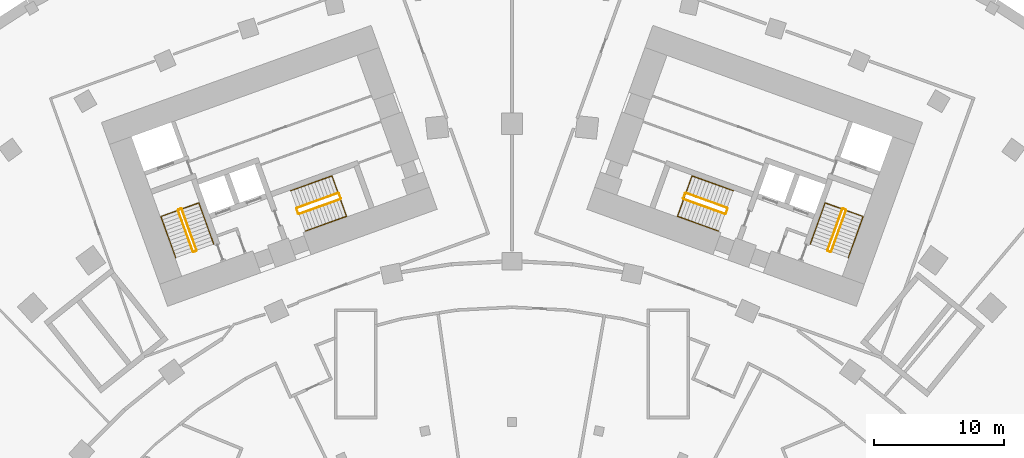
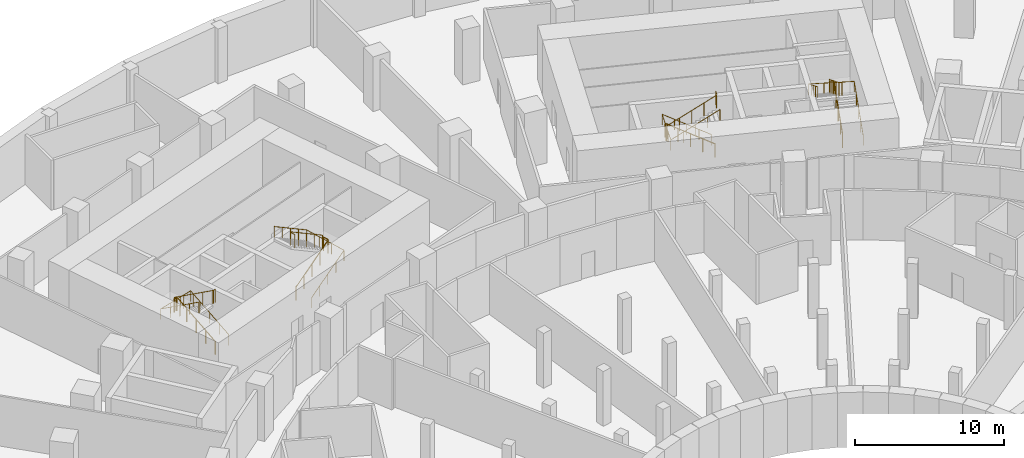
# One storey, part 21 of 21: 12 railings.
"""IFC4 building model written with IfcOpenShell, lengths in metres."""

from ifc_helpers import new_model, si_unit, direction, frame, origin, origin_2d, place, context, subcontext, project, spatial, circle, extrude, material, type_object, element, save


model = new_model("IFC4")

# Units and contexts
model_context = context("Model", 3, precision=1e-05, world=origin(), true_north=direction((0.0, 1.0)))
body_context = subcontext(model_context, "Body", "Model", "MODEL_VIEW")
ifc_project = project(units=[si_unit("LENGTHUNIT", "METRE"), si_unit("AREAUNIT", "SQUARE_METRE"), si_unit("VOLUMEUNIT", "CUBIC_METRE"), si_unit("PLANEANGLEUNIT", "RADIAN"), si_unit("MASSUNIT", "GRAM", prefix="KILO")], contexts=[model_context])

# Site, building, storey
site_placement = place(None, origin())
site = spatial("IfcSite", under=ifc_project, at=site_placement, CompositionType="ELEMENT")
building_placement = place(site_placement, origin())
building = spatial("IfcBuilding", under=site, at=building_placement, Name="Stone Belt Terrace Tower", CompositionType="ELEMENT")
storey_placement = place(building_placement, frame((0.0, 0.0, -9.0)))
storey = spatial("IfcBuildingStorey", under=building, at=storey_placement, Name="B2", CompositionType="ELEMENT", Elevation=-9.0)

# Railings
ifc_material = material(Name="Structural steel C345", Category="steel")
railing_type_1 = type_object("IfcRailingType", Name="Stair guard 1100", PredefinedType="GUARDRAIL", material=ifc_material)
railing_1_placement = place(storey_placement, frame((-24.2119140625, 45.276123046875, 0.173095703125)))
element("IfcRailing", 1, at=railing_1_placement, inside=storey, type_object=railing_type_1, Name="B2 ST1A stair guard 1", PredefinedType="GUARDRAIL", context=body_context, shape_type="SweptSolid", body=[
    extrude(circle(Radius=0.02392578125, at=origin_2d()), frame((0.0, 0.0, 1.076171875), z_axis=(-0.288083704321, 0.800342391602, 0.525794480296), x_axis=(-0.940902231577, -0.338678299589, 0.0)), (0.0, 0.0, 1.0), 3.949951171875),
    extrude(circle(Radius=0.02392578125, at=origin_2d()), frame((-1.137939453125, 3.161376953125, 3.15283203125), z_axis=(-0.903878284585, 0.427789722475, 0.0), x_axis=(-0.427789722475, -0.903878284585, 0.0)), (0.0, 0.0, 1.0), 0.07080078125),
    extrude(circle(Radius=0.02392578125, at=origin_2d()), frame((-1.201904296875, 3.191650390625, 3.15283203125), z_axis=(-0.940575576748, -0.339584429008, 0.0), x_axis=(0.339584429008, -0.940575576748, 0.0)), (0.0, 0.0, 1.0), 0.199951171875),
    extrude(circle(Radius=0.02099609375, at=origin_2d()), origin(), (0.0, 0.0, 1.0), 1.052001953125),
    extrude(circle(Radius=0.02099609375, at=origin_2d()), frame((-0.284423828125, 0.790283203125, 0.519287109375)), (0.0, 0.0, 1.0), 1.052001953125),
    extrude(circle(Radius=0.02099609375, at=origin_2d()), frame((-0.56884765625, 1.58056640625, 1.03857421875)), (0.0, 0.0, 1.0), 1.052001953125),
    extrude(circle(Radius=0.02099609375, at=origin_2d()), frame((-0.853515625, 2.37109375, 1.5576171875)), (0.0, 0.0, 1.0), 1.052001953125),
    extrude(circle(Radius=0.02099609375, at=origin_2d()), frame((-1.137939453125, 3.161376953125, 2.076904296875)), (0.0, 0.0, 1.0), 1.052001953125),
    extrude(circle(Radius=0.02099609375, at=origin_2d()), frame((-1.201904296875, 3.191650390625, 2.076904296875)), (0.0, 0.0, 1.0), 1.052001953125),
    extrude(circle(Radius=0.02099609375, at=origin_2d()), frame((-1.389892578125, 3.123779296875, 2.076904296875)), (0.0, 0.0, 1.0), 1.052001953125),
])
railing_2_placement = place(storey_placement, frame((-25.632080078125, 48.3359375, 2.423095703125)))
element("IfcRailing", 2, at=railing_2_placement, inside=storey, type_object=railing_type_1, Name="B2 ST1A stair guard 2", PredefinedType="GUARDRAIL", context=body_context, shape_type="SweptSolid", body=[
    extrude(circle(Radius=0.02392578125, at=origin_2d()), frame((0.0, 0.0, 1.076171875), z_axis=(0.288083704321, -0.800342391602, 0.525794480296), x_axis=(0.940902231577, 0.338678299589, 0.0)), (0.0, 0.0, 1.0), 3.949951171875),
    extrude(circle(Radius=0.02392578125, at=origin_2d()), frame((1.137939453125, -3.161376953125, 3.15283203125), z_axis=(0.903878284585, -0.427789722475, 0.0), x_axis=(0.427789722475, 0.903878284585, 0.0)), (0.0, 0.0, 1.0), 0.07080078125),
    extrude(circle(Radius=0.02392578125, at=origin_2d()), frame((1.201904296875, -3.191650390625, 3.15283203125), z_axis=(0.940575576748, 0.339584429008, 0.0), x_axis=(-0.339584429008, 0.940575576748, 0.0)), (0.0, 0.0, 1.0), 0.199951171875),
    extrude(circle(Radius=0.02099609375, at=origin_2d()), origin(), (0.0, 0.0, 1.0), 1.052001953125),
    extrude(circle(Radius=0.02099609375, at=origin_2d()), frame((0.284423828125, -0.790283203125, 0.519287109375)), (0.0, 0.0, 1.0), 1.052001953125),
    extrude(circle(Radius=0.02099609375, at=origin_2d()), frame((0.56884765625, -1.58056640625, 1.03857421875)), (0.0, 0.0, 1.0), 1.052001953125),
    extrude(circle(Radius=0.02099609375, at=origin_2d()), frame((0.853515625, -2.37109375, 1.5576171875)), (0.0, 0.0, 1.0), 1.052001953125),
    extrude(circle(Radius=0.02099609375, at=origin_2d()), frame((1.137939453125, -3.161376953125, 2.076904296875)), (0.0, 0.0, 1.0), 1.052001953125),
    extrude(circle(Radius=0.02099609375, at=origin_2d()), frame((1.201904296875, -3.191650390625, 2.076904296875)), (0.0, 0.0, 1.0), 1.052001953125),
    extrude(circle(Radius=0.02099609375, at=origin_2d()), frame((1.389892578125, -3.123779296875, 2.076904296875)), (0.0, 0.0, 1.0), 1.052001953125),
])
railing_3_placement = place(storey_placement, frame((-16.33837890625, 48.056640625, 0.173095703125)))
element("IfcRailing", 3, at=railing_3_placement, inside=storey, type_object=railing_type_1, Name="B2 ST2A stair guard 1", PredefinedType="GUARDRAIL", context=body_context, shape_type="SweptSolid", body=[
    extrude(circle(Radius=0.02392578125, at=origin_2d()), frame((0.0, 0.0, 1.076171875), z_axis=(0.800378855174, 0.288012777229, 0.525777831735), x_axis=(-0.338590819614, 0.940933715451, 0.0)), (0.0, 0.0, 1.0), 3.9501953125),
    extrude(circle(Radius=0.02392578125, at=origin_2d()), frame((3.16162109375, 1.1376953125, 3.15283203125), z_axis=(0.424964916, 0.905209821074, 0.0), x_axis=(-0.905209821074, 0.424964916, 0.0)), (0.0, 0.0, 1.0), 0.070556640625),
    extrude(circle(Radius=0.02392578125, at=origin_2d()), frame((3.191650390625, 1.20166015625, 3.15283203125), z_axis=(-0.338654645739, 0.940910745459, 0.0), x_axis=(-0.940910745459, -0.338654645739, 0.0)), (0.0, 0.0, 1.0), 0.400146484375),
    extrude(circle(Radius=0.02099609375, at=origin_2d()), origin(), (0.0, 0.0, 1.0), 1.052001953125),
    extrude(circle(Radius=0.02099609375, at=origin_2d()), frame((0.79052734375, 0.284423828125, 0.519287109375)), (0.0, 0.0, 1.0), 1.052001953125),
    extrude(circle(Radius=0.02099609375, at=origin_2d()), frame((1.580810546875, 0.56884765625, 1.03857421875)), (0.0, 0.0, 1.0), 1.052001953125),
    extrude(circle(Radius=0.02099609375, at=origin_2d()), frame((2.37109375, 0.853271484375, 1.5576171875)), (0.0, 0.0, 1.0), 1.052001953125),
    extrude(circle(Radius=0.02099609375, at=origin_2d()), frame((3.16162109375, 1.1376953125, 2.076904296875)), (0.0, 0.0, 1.0), 1.052001953125),
    extrude(circle(Radius=0.02099609375, at=origin_2d()), frame((3.191650390625, 1.20166015625, 2.076904296875)), (0.0, 0.0, 1.0), 1.052001953125),
    extrude(circle(Radius=0.02099609375, at=origin_2d()), frame((3.05615234375, 1.578125, 2.076904296875)), (0.0, 0.0, 1.0), 1.052001953125),
])
railing_4_placement = place(storey_placement, frame((-13.34619140625, 49.664794921875, 2.423095703125)))
element("IfcRailing", 4, at=railing_4_placement, inside=storey, type_object=railing_type_1, Name="B2 ST2A stair guard 2", PredefinedType="GUARDRAIL", context=body_context, shape_type="SweptSolid", body=[
    extrude(circle(Radius=0.02392578125, at=origin_2d()), frame((0.0, 0.0, 1.076171875), z_axis=(-0.800356641085, -0.288027025056, 0.525803841664), x_axis=(0.338613969627, -0.9409253847, 0.0)), (0.0, 0.0, 1.0), 3.949951171875),
    extrude(circle(Radius=0.02392578125, at=origin_2d()), frame((-3.161376953125, -1.1376953125, 3.15283203125), z_axis=(-0.427789722475, -0.903878284585, 0.0), x_axis=(0.903878284585, -0.427789722475, 0.0)), (0.0, 0.0, 1.0), 0.07080078125),
    extrude(circle(Radius=0.02392578125, at=origin_2d()), frame((-3.191650390625, -1.20166015625, 3.15283203125), z_axis=(0.338654645739, -0.940910745459, 0.0), x_axis=(0.940910745459, 0.338654645739, 0.0)), (0.0, 0.0, 1.0), 0.400146484375),
    extrude(circle(Radius=0.02099609375, at=origin_2d()), origin(), (0.0, 0.0, 1.0), 1.052001953125),
    extrude(circle(Radius=0.02099609375, at=origin_2d()), frame((-0.790283203125, -0.284423828125, 0.519287109375)), (0.0, 0.0, 1.0), 1.052001953125),
    extrude(circle(Radius=0.02099609375, at=origin_2d()), frame((-1.58056640625, -0.56884765625, 1.03857421875)), (0.0, 0.0, 1.0), 1.052001953125),
    extrude(circle(Radius=0.02099609375, at=origin_2d()), frame((-2.37109375, -0.853271484375, 1.5576171875)), (0.0, 0.0, 1.0), 1.052001953125),
    extrude(circle(Radius=0.02099609375, at=origin_2d()), frame((-3.161376953125, -1.1376953125, 2.076904296875)), (0.0, 0.0, 1.0), 1.052001953125),
    extrude(circle(Radius=0.02099609375, at=origin_2d()), frame((-3.191650390625, -1.20166015625, 2.076904296875)), (0.0, 0.0, 1.0), 1.052001953125),
    extrude(circle(Radius=0.02099609375, at=origin_2d()), frame((-3.05615234375, -1.578125, 2.076904296875)), (0.0, 0.0, 1.0), 1.052001953125),
])
railing_5_placement = place(storey_placement, frame((24.494140625, 45.174560546875, 0.173095703125)))
element("IfcRailing", 5, at=railing_5_placement, inside=storey, type_object=railing_type_1, Name="B2 ST1B stair guard 1", PredefinedType="GUARDRAIL", context=body_context, shape_type="SweptSolid", body=[
    extrude(circle(Radius=0.02392578125, at=origin_2d()), frame((0.0, 0.0, 1.076171875), z_axis=(0.288083704321, 0.800342391602, 0.525794480296), x_axis=(-0.940902231577, 0.338678299589, 0.0)), (0.0, 0.0, 1.0), 3.949951171875),
    extrude(circle(Radius=0.02392578125, at=origin_2d()), frame((1.137939453125, 3.161376953125, 3.15283203125), z_axis=(-0.427789722475, 0.903878284585, 0.0), x_axis=(-0.903878284585, -0.427789722475, 0.0)), (0.0, 0.0, 1.0), 0.07080078125),
    extrude(circle(Radius=0.02392578125, at=origin_2d()), frame((1.107666015625, 3.225341796875, 3.15283203125), z_axis=(-0.940575576748, 0.339584429008, 0.0), x_axis=(-0.339584429008, -0.940575576748, 0.0)), (0.0, 0.0, 1.0), 0.199951171875),
    extrude(circle(Radius=0.02099609375, at=origin_2d()), origin(), (0.0, 0.0, 1.0), 1.052001953125),
    extrude(circle(Radius=0.02099609375, at=origin_2d()), frame((0.284423828125, 0.790283203125, 0.519287109375)), (0.0, 0.0, 1.0), 1.052001953125),
    extrude(circle(Radius=0.02099609375, at=origin_2d()), frame((0.56884765625, 1.58056640625, 1.03857421875)), (0.0, 0.0, 1.0), 1.052001953125),
    extrude(circle(Radius=0.02099609375, at=origin_2d()), frame((0.853515625, 2.37109375, 1.5576171875)), (0.0, 0.0, 1.0), 1.052001953125),
    extrude(circle(Radius=0.02099609375, at=origin_2d()), frame((1.137939453125, 3.161376953125, 2.076904296875)), (0.0, 0.0, 1.0), 1.052001953125),
    extrude(circle(Radius=0.02099609375, at=origin_2d()), frame((1.107666015625, 3.225341796875, 2.076904296875)), (0.0, 0.0, 1.0), 1.052001953125),
    extrude(circle(Radius=0.02099609375, at=origin_2d()), frame((0.919677734375, 3.293212890625, 2.076904296875)), (0.0, 0.0, 1.0), 1.052001953125),
])
railing_6_placement = place(storey_placement, frame((25.349853515625, 48.4375, 2.423095703125)))
element("IfcRailing", 6, at=railing_6_placement, inside=storey, type_object=railing_type_1, Name="B2 ST1B stair guard 2", PredefinedType="GUARDRAIL", context=body_context, shape_type="SweptSolid", body=[
    extrude(circle(Radius=0.02392578125, at=origin_2d()), frame((0.0, 0.0, 1.076171875), z_axis=(-0.288083704321, -0.800342391602, 0.525794480296), x_axis=(0.940902231577, -0.338678299589, 0.0)), (0.0, 0.0, 1.0), 3.949951171875),
    extrude(circle(Radius=0.02392578125, at=origin_2d()), frame((-1.137939453125, -3.161376953125, 3.15283203125), z_axis=(0.427789722475, -0.903878284585, 0.0), x_axis=(0.903878284585, 0.427789722475, 0.0)), (0.0, 0.0, 1.0), 0.07080078125),
    extrude(circle(Radius=0.02392578125, at=origin_2d()), frame((-1.107666015625, -3.225341796875, 3.15283203125), z_axis=(0.940575576748, -0.339584429008, 0.0), x_axis=(0.339584429008, 0.940575576748, 0.0)), (0.0, 0.0, 1.0), 0.199951171875),
    extrude(circle(Radius=0.02099609375, at=origin_2d()), origin(), (0.0, 0.0, 1.0), 1.052001953125),
    extrude(circle(Radius=0.02099609375, at=origin_2d()), frame((-0.284423828125, -0.790283203125, 0.519287109375)), (0.0, 0.0, 1.0), 1.052001953125),
    extrude(circle(Radius=0.02099609375, at=origin_2d()), frame((-0.56884765625, -1.58056640625, 1.03857421875)), (0.0, 0.0, 1.0), 1.052001953125),
    extrude(circle(Radius=0.02099609375, at=origin_2d()), frame((-0.853515625, -2.37109375, 1.5576171875)), (0.0, 0.0, 1.0), 1.052001953125),
    extrude(circle(Radius=0.02099609375, at=origin_2d()), frame((-1.137939453125, -3.161376953125, 2.076904296875)), (0.0, 0.0, 1.0), 1.052001953125),
    extrude(circle(Radius=0.02099609375, at=origin_2d()), frame((-1.107666015625, -3.225341796875, 2.076904296875)), (0.0, 0.0, 1.0), 1.052001953125),
    extrude(circle(Radius=0.02099609375, at=origin_2d()), frame((-0.919677734375, -3.293212890625, 2.076904296875)), (0.0, 0.0, 1.0), 1.052001953125),
])
railing_7_placement = place(storey_placement, frame((16.507568359375, 48.527099609375, 0.173095703125)))
element("IfcRailing", 7, at=railing_7_placement, inside=storey, type_object=railing_type_1, Name="B2 ST2B stair guard 1", PredefinedType="GUARDRAIL", context=body_context, shape_type="SweptSolid", body=[
    extrude(circle(Radius=0.02392578125, at=origin_2d()), frame((0.0, 0.0, 1.076171875), z_axis=(-0.800356641085, 0.288027025056, 0.525803841664), x_axis=(-0.338613969627, -0.9409253847, 0.0)), (0.0, 0.0, 1.0), 3.949951171875),
    extrude(circle(Radius=0.02392578125, at=origin_2d()), frame((-3.161376953125, 1.1376953125, 3.15283203125), z_axis=(-0.905209821074, -0.424964916, 0.0), x_axis=(0.424964916, -0.905209821074, 0.0)), (0.0, 0.0, 1.0), 0.070556640625),
    extrude(circle(Radius=0.02392578125, at=origin_2d()), frame((-3.225341796875, 1.107666015625, 3.15283203125), z_axis=(-0.338654645739, -0.940910745459, 0.0), x_axis=(0.940910745459, -0.338654645739, 0.0)), (0.0, 0.0, 1.0), 0.400146484375),
    extrude(circle(Radius=0.02099609375, at=origin_2d()), origin(), (0.0, 0.0, 1.0), 1.052001953125),
    extrude(circle(Radius=0.02099609375, at=origin_2d()), frame((-0.790283203125, 0.284423828125, 0.519287109375)), (0.0, 0.0, 1.0), 1.052001953125),
    extrude(circle(Radius=0.02099609375, at=origin_2d()), frame((-1.58056640625, 0.56884765625, 1.03857421875)), (0.0, 0.0, 1.0), 1.052001953125),
    extrude(circle(Radius=0.02099609375, at=origin_2d()), frame((-2.37109375, 0.853271484375, 1.5576171875)), (0.0, 0.0, 1.0), 1.052001953125),
    extrude(circle(Radius=0.02099609375, at=origin_2d()), frame((-3.161376953125, 1.1376953125, 2.076904296875)), (0.0, 0.0, 1.0), 1.052001953125),
    extrude(circle(Radius=0.02099609375, at=origin_2d()), frame((-3.225341796875, 1.107666015625, 2.076904296875)), (0.0, 0.0, 1.0), 1.052001953125),
    extrude(circle(Radius=0.02099609375, at=origin_2d()), frame((-3.36083984375, 0.731201171875, 2.076904296875)), (0.0, 0.0, 1.0), 1.052001953125),
])
railing_8_placement = place(storey_placement, frame((13.1767578125, 49.1943359375, 2.423095703125)))
element("IfcRailing", 8, at=railing_8_placement, inside=storey, type_object=railing_type_1, Name="B2 ST2B stair guard 2", PredefinedType="GUARDRAIL", context=body_context, shape_type="SweptSolid", body=[
    extrude(circle(Radius=0.02392578125, at=origin_2d()), frame((0.0, 0.0, 1.076171875), z_axis=(0.800378855174, -0.288012777229, 0.525777831735), x_axis=(0.338590819614, 0.940933715451, 0.0)), (0.0, 0.0, 1.0), 3.9501953125),
    extrude(circle(Radius=0.02392578125, at=origin_2d()), frame((3.16162109375, -1.1376953125, 3.15283203125), z_axis=(0.905209821074, 0.424964916, 0.0), x_axis=(-0.424964916, 0.905209821074, 0.0)), (0.0, 0.0, 1.0), 0.070556640625),
    extrude(circle(Radius=0.02392578125, at=origin_2d()), frame((3.2255859375, -1.107666015625, 3.15283203125), z_axis=(0.338654645739, 0.940910745459, 0.0), x_axis=(-0.940910745459, 0.338654645739, 0.0)), (0.0, 0.0, 1.0), 0.400146484375),
    extrude(circle(Radius=0.02099609375, at=origin_2d()), origin(), (0.0, 0.0, 1.0), 1.052001953125),
    extrude(circle(Radius=0.02099609375, at=origin_2d()), frame((0.79052734375, -0.284423828125, 0.519287109375)), (0.0, 0.0, 1.0), 1.052001953125),
    extrude(circle(Radius=0.02099609375, at=origin_2d()), frame((1.580810546875, -0.56884765625, 1.03857421875)), (0.0, 0.0, 1.0), 1.052001953125),
    extrude(circle(Radius=0.02099609375, at=origin_2d()), frame((2.37109375, -0.853271484375, 1.5576171875)), (0.0, 0.0, 1.0), 1.052001953125),
    extrude(circle(Radius=0.02099609375, at=origin_2d()), frame((3.16162109375, -1.1376953125, 2.076904296875)), (0.0, 0.0, 1.0), 1.052001953125),
    extrude(circle(Radius=0.02099609375, at=origin_2d()), frame((3.2255859375, -1.107666015625, 2.076904296875)), (0.0, 0.0, 1.0), 1.052001953125),
    extrude(circle(Radius=0.02099609375, at=origin_2d()), frame((3.361083984375, -0.731201171875, 2.076904296875)), (0.0, 0.0, 1.0), 1.052001953125),
])
railing_type_2 = type_object("IfcRailingType", Name="Stair handrail 900", PredefinedType="HANDRAIL", material=ifc_material)
railing_9_placement = place(storey_placement, frame((-22.894775390625, 45.750244140625, 0.173095703125)))
element("IfcRailing", 9, at=railing_9_placement, inside=storey, type_object=railing_type_2, Name="B2 ST1A stair handrail 1", PredefinedType="HANDRAIL", context=body_context, shape_type="SweptSolid", body=[
    extrude(circle(Radius=0.02392578125, at=origin_2d()), frame((0.0, 0.0, 0.8759765625), z_axis=(-0.288027025056, 0.800356641085, 0.525803841664), x_axis=(-0.9409253847, -0.338613969627, 0.0)), (0.0, 0.0, 1.0), 3.949951171875),
    extrude(circle(Radius=0.02392578125, at=origin_2d()), frame((-1.1376953125, 3.161376953125, 2.95263671875), z_axis=(-0.9394470592, -0.338128597519, 0.055751901312), x_axis=(0.338655323994, -0.940910501339, 0.0)), (0.0, 0.0, 1.0), 3.104736328125),
    extrude(circle(Radius=0.02392578125, at=origin_2d()), frame((-4.054443359375, 2.111572265625, 3.1259765625), z_axis=(0.288027025056, -0.800356641085, 0.525803841664), x_axis=(0.9409253847, 0.338613969627, 0.0)), (0.0, 0.0, 1.0), 3.949951171875),
    extrude(circle(Radius=0.02099609375, at=origin_2d()), origin(), (0.0, 0.0, 1.0), 0.851806640625),
    extrude(circle(Radius=0.02099609375, at=origin_2d()), frame((-0.284423828125, 0.790283203125, 0.519287109375)), (0.0, 0.0, 1.0), 0.851806640625),
    extrude(circle(Radius=0.02099609375, at=origin_2d()), frame((-0.56884765625, 1.58056640625, 1.03857421875)), (0.0, 0.0, 1.0), 0.851806640625),
    extrude(circle(Radius=0.02099609375, at=origin_2d()), frame((-0.853271484375, 2.37109375, 1.5576171875)), (0.0, 0.0, 1.0), 0.851806640625),
    extrude(circle(Radius=0.02099609375, at=origin_2d()), frame((-1.1376953125, 3.161376953125, 2.076904296875)), (0.0, 0.0, 1.0), 0.851806640625),
    extrude(circle(Radius=0.02099609375, at=origin_2d()), frame((-2.10986328125, 2.8115234375, 2.134521484375)), (0.0, 0.0, 1.0), 0.851806640625),
    extrude(circle(Radius=0.02099609375, at=origin_2d()), frame((-3.082275390625, 2.46142578125, 2.1923828125)), (0.0, 0.0, 1.0), 0.851806640625),
    extrude(circle(Radius=0.02099609375, at=origin_2d()), frame((-4.054443359375, 2.111572265625, 2.25)), (0.0, 0.0, 1.0), 0.851806640625),
    extrude(circle(Radius=0.02099609375, at=origin_2d()), frame((-3.77001953125, 1.3212890625, 2.769287109375)), (0.0, 0.0, 1.0), 0.851806640625),
    extrude(circle(Radius=0.02099609375, at=origin_2d()), frame((-3.485595703125, 0.53076171875, 3.28857421875)), (0.0, 0.0, 1.0), 0.851806640625),
    extrude(circle(Radius=0.02099609375, at=origin_2d()), frame((-3.201171875, -0.259521484375, 3.8076171875)), (0.0, 0.0, 1.0), 0.851806640625),
    extrude(circle(Radius=0.02099609375, at=origin_2d()), frame((-2.916748046875, -1.0498046875, 4.326904296875)), (0.0, 0.0, 1.0), 0.851806640625),
])
railing_10_placement = place(storey_placement, frame((-15.8642578125, 46.7392578125, 0.173095703125)))
element("IfcRailing", 10, at=railing_10_placement, inside=storey, type_object=railing_type_2, Name="B2 ST2A stair handrail 1", PredefinedType="HANDRAIL", context=body_context, shape_type="SweptSolid", body=[
    extrude(circle(Radius=0.02392578125, at=origin_2d()), frame((0.0, 0.0, 0.8759765625), z_axis=(0.800356641085, 0.288027025056, 0.525803841664), x_axis=(-0.338613969627, 0.9409253847, 0.0)), (0.0, 0.0, 1.0), 3.949951171875),
    extrude(circle(Radius=0.02392578125, at=origin_2d()), frame((3.161376953125, 1.1376953125, 2.95263671875), z_axis=(-0.338134166301, 0.93963916565, 0.052378659364), x_axis=(-0.940930785231, -0.338598962497, 0.0)), (0.0, 0.0, 1.0), 3.3046875),
    extrude(circle(Radius=0.02392578125, at=origin_2d()), frame((2.0439453125, 4.242919921875, 3.1259765625), z_axis=(-0.800342391602, -0.288083704321, 0.525794480296), x_axis=(0.338678299589, -0.940902231577, 0.0)), (0.0, 0.0, 1.0), 3.949951171875),
    extrude(circle(Radius=0.02099609375, at=origin_2d()), origin(), (0.0, 0.0, 1.0), 0.851806640625),
    extrude(circle(Radius=0.02099609375, at=origin_2d()), frame((0.790283203125, 0.284423828125, 0.519287109375)), (0.0, 0.0, 1.0), 0.851806640625),
    extrude(circle(Radius=0.02099609375, at=origin_2d()), frame((1.58056640625, 0.56884765625, 1.03857421875)), (0.0, 0.0, 1.0), 0.851806640625),
    extrude(circle(Radius=0.02099609375, at=origin_2d()), frame((2.37109375, 0.853271484375, 1.5576171875)), (0.0, 0.0, 1.0), 0.851806640625),
    extrude(circle(Radius=0.02099609375, at=origin_2d()), frame((3.161376953125, 1.1376953125, 2.076904296875)), (0.0, 0.0, 1.0), 0.851806640625),
    extrude(circle(Radius=0.02099609375, at=origin_2d()), frame((2.788818359375, 2.1728515625, 2.134521484375)), (0.0, 0.0, 1.0), 0.851806640625),
    extrude(circle(Radius=0.02099609375, at=origin_2d()), frame((2.41650390625, 3.207763671875, 2.1923828125)), (0.0, 0.0, 1.0), 0.851806640625),
    extrude(circle(Radius=0.02099609375, at=origin_2d()), frame((2.0439453125, 4.242919921875, 2.25)), (0.0, 0.0, 1.0), 0.851806640625),
    extrude(circle(Radius=0.02099609375, at=origin_2d()), frame((1.253662109375, 3.95849609375, 2.769287109375)), (0.0, 0.0, 1.0), 0.851806640625),
    extrude(circle(Radius=0.02099609375, at=origin_2d()), frame((0.46337890625, 3.673828125, 3.28857421875)), (0.0, 0.0, 1.0), 0.851806640625),
    extrude(circle(Radius=0.02099609375, at=origin_2d()), frame((-0.3271484375, 3.389404296875, 3.8076171875)), (0.0, 0.0, 1.0), 0.851806640625),
    extrude(circle(Radius=0.02099609375, at=origin_2d()), frame((-1.117431640625, 3.10498046875, 4.326904296875)), (0.0, 0.0, 1.0), 0.851806640625),
])
railing_11_placement = place(storey_placement, frame((25.8115234375, 44.700439453125, 0.173095703125)))
element("IfcRailing", 11, at=railing_11_placement, inside=storey, type_object=railing_type_2, Name="B2 ST1B stair handrail 1", PredefinedType="HANDRAIL", context=body_context, shape_type="SweptSolid", body=[
    extrude(circle(Radius=0.02392578125, at=origin_2d()), frame((0.0, 0.0, 0.8759765625), z_axis=(0.288027025056, 0.800356641085, 0.525803841664), x_axis=(-0.9409253847, 0.338613969627, 0.0)), (0.0, 0.0, 1.0), 3.949951171875),
    extrude(circle(Radius=0.02392578125, at=origin_2d()), frame((1.1376953125, 3.161376953125, 2.95263671875), z_axis=(-0.9394470592, 0.338128597519, 0.055751901312), x_axis=(-0.338655323994, -0.940910501339, 0.0)), (0.0, 0.0, 1.0), 3.104736328125),
    extrude(circle(Radius=0.02392578125, at=origin_2d()), frame((-1.779052734375, 4.211181640625, 3.1259765625), z_axis=(-0.288027025056, -0.800356641085, 0.525803841664), x_axis=(0.9409253847, -0.338613969627, 0.0)), (0.0, 0.0, 1.0), 3.949951171875),
    extrude(circle(Radius=0.02099609375, at=origin_2d()), origin(), (0.0, 0.0, 1.0), 0.851806640625),
    extrude(circle(Radius=0.02099609375, at=origin_2d()), frame((0.284423828125, 0.790283203125, 0.519287109375)), (0.0, 0.0, 1.0), 0.851806640625),
    extrude(circle(Radius=0.02099609375, at=origin_2d()), frame((0.56884765625, 1.58056640625, 1.03857421875)), (0.0, 0.0, 1.0), 0.851806640625),
    extrude(circle(Radius=0.02099609375, at=origin_2d()), frame((0.853271484375, 2.37109375, 1.5576171875)), (0.0, 0.0, 1.0), 0.851806640625),
    extrude(circle(Radius=0.02099609375, at=origin_2d()), frame((1.1376953125, 3.161376953125, 2.076904296875)), (0.0, 0.0, 1.0), 0.851806640625),
    extrude(circle(Radius=0.02099609375, at=origin_2d()), frame((0.16552734375, 3.51123046875, 2.134521484375)), (0.0, 0.0, 1.0), 0.851806640625),
    extrude(circle(Radius=0.02099609375, at=origin_2d()), frame((-0.806884765625, 3.861328125, 2.1923828125)), (0.0, 0.0, 1.0), 0.851806640625),
    extrude(circle(Radius=0.02099609375, at=origin_2d()), frame((-1.779052734375, 4.211181640625, 2.25)), (0.0, 0.0, 1.0), 0.851806640625),
    extrude(circle(Radius=0.02099609375, at=origin_2d()), frame((-2.0634765625, 3.4208984375, 2.769287109375)), (0.0, 0.0, 1.0), 0.851806640625),
    extrude(circle(Radius=0.02099609375, at=origin_2d()), frame((-2.347900390625, 2.63037109375, 3.28857421875)), (0.0, 0.0, 1.0), 0.851806640625),
    extrude(circle(Radius=0.02099609375, at=origin_2d()), frame((-2.63232421875, 1.840087890625, 3.8076171875)), (0.0, 0.0, 1.0), 0.851806640625),
    extrude(circle(Radius=0.02099609375, at=origin_2d()), frame((-2.916748046875, 1.0498046875, 4.326904296875)), (0.0, 0.0, 1.0), 0.851806640625),
])
railing_12_placement = place(storey_placement, frame((16.981689453125, 49.84423828125, 0.173095703125)))
element("IfcRailing", 12, at=railing_12_placement, inside=storey, type_object=railing_type_2, Name="B2 ST2B stair handrail 1", PredefinedType="HANDRAIL", context=body_context, shape_type="SweptSolid", body=[
    extrude(circle(Radius=0.02392578125, at=origin_2d()), frame((0.0, 0.0, 0.8759765625), z_axis=(-0.800342391602, 0.288083704321, 0.525794480296), x_axis=(-0.338678299589, -0.940902231577, 0.0)), (0.0, 0.0, 1.0), 3.949951171875),
    extrude(circle(Radius=0.02392578125, at=origin_2d()), frame((-3.161376953125, 1.137939453125, 2.95263671875), z_axis=(-0.338134166301, -0.93963916565, 0.052378659364), x_axis=(0.940930785231, -0.338598962497, 0.0)), (0.0, 0.0, 1.0), 3.3046875),
    extrude(circle(Radius=0.02392578125, at=origin_2d()), frame((-4.27880859375, -1.96728515625, 3.1259765625), z_axis=(0.800356641085, -0.288027025056, 0.525803841664), x_axis=(0.338613969627, 0.9409253847, 0.0)), (0.0, 0.0, 1.0), 3.949951171875),
    extrude(circle(Radius=0.02099609375, at=origin_2d()), origin(), (0.0, 0.0, 1.0), 0.851806640625),
    extrude(circle(Radius=0.02099609375, at=origin_2d()), frame((-0.790283203125, 0.284423828125, 0.519287109375)), (0.0, 0.0, 1.0), 0.851806640625),
    extrude(circle(Radius=0.02099609375, at=origin_2d()), frame((-1.58056640625, 0.56884765625, 1.03857421875)), (0.0, 0.0, 1.0), 0.851806640625),
    extrude(circle(Radius=0.02099609375, at=origin_2d()), frame((-2.37109375, 0.853515625, 1.5576171875)), (0.0, 0.0, 1.0), 0.851806640625),
    extrude(circle(Radius=0.02099609375, at=origin_2d()), frame((-3.161376953125, 1.137939453125, 2.076904296875)), (0.0, 0.0, 1.0), 0.851806640625),
    extrude(circle(Radius=0.02099609375, at=origin_2d()), frame((-3.533935546875, 0.102783203125, 2.134521484375)), (0.0, 0.0, 1.0), 0.851806640625),
    extrude(circle(Radius=0.02099609375, at=origin_2d()), frame((-3.90625, -0.93212890625, 2.1923828125)), (0.0, 0.0, 1.0), 0.851806640625),
    extrude(circle(Radius=0.02099609375, at=origin_2d()), frame((-4.27880859375, -1.96728515625, 2.25)), (0.0, 0.0, 1.0), 0.851806640625),
    extrude(circle(Radius=0.02099609375, at=origin_2d()), frame((-3.488525390625, -2.251708984375, 2.769287109375)), (0.0, 0.0, 1.0), 0.851806640625),
    extrude(circle(Radius=0.02099609375, at=origin_2d()), frame((-2.6982421875, -2.5361328125, 3.28857421875)), (0.0, 0.0, 1.0), 0.851806640625),
    extrude(circle(Radius=0.02099609375, at=origin_2d()), frame((-1.90771484375, -2.820556640625, 3.8076171875)), (0.0, 0.0, 1.0), 0.851806640625),
    extrude(circle(Radius=0.02099609375, at=origin_2d()), frame((-1.117431640625, -3.10498046875, 4.326904296875)), (0.0, 0.0, 1.0), 0.851806640625),
])

save(model, "model.ifc")
